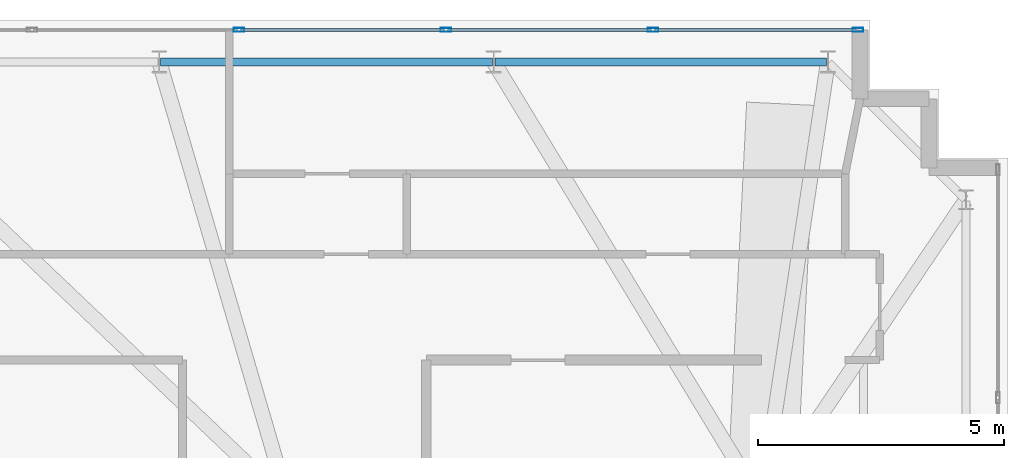
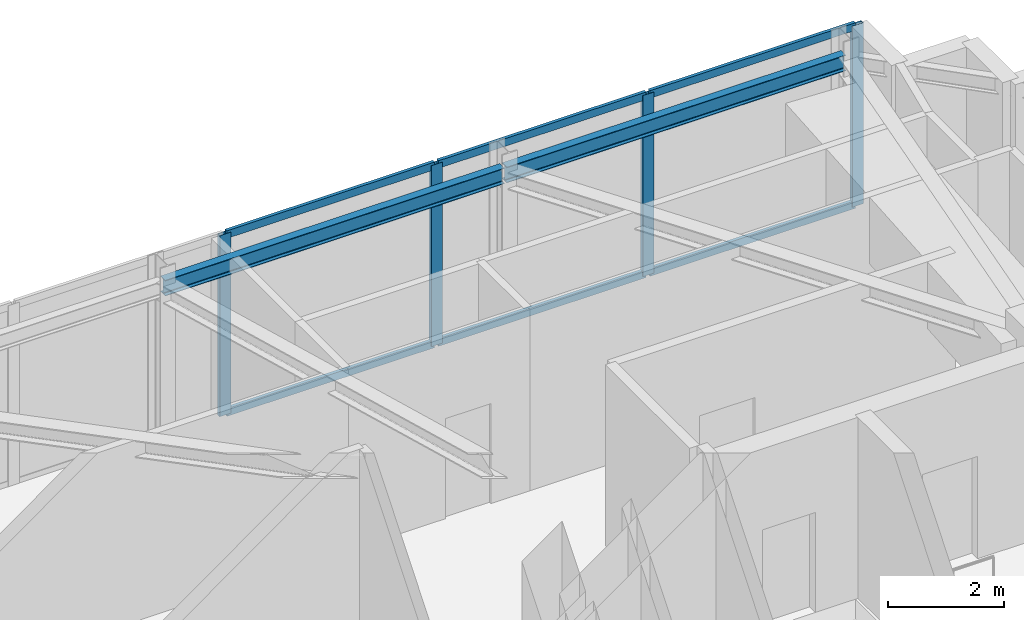
# One storey, part 20 of 27: 10 members, 2 beams, 1 element without a shape of its own.
"""IFC4 building model written with IfcOpenShell, lengths in metres."""

from ifc_helpers import new_model, si_unit, direction, frame, origin, origin_2d, place, context, subcontext, project, spatial, hollow_rectangle, i_section, extrude, material, layer, layer_set, material_profile, profile_set, type_object, element, aggregate, save


model = new_model("IFC4")

# Units and contexts
model_context = context("Model", 3, precision=1e-05, world=origin(), true_north=direction((0.0, 1.0)))
body_context = subcontext(model_context, "Body", "Model", "MODEL_VIEW")
ifc_project = project(units=[si_unit("LENGTHUNIT", "METRE"), si_unit("AREAUNIT", "SQUARE_METRE"), si_unit("VOLUMEUNIT", "CUBIC_METRE"), si_unit("PLANEANGLEUNIT", "RADIAN"), si_unit("MASSUNIT", "GRAM", prefix="KILO")], contexts=[model_context])

# Site, building, storey
site_placement = place(None, origin())
site = spatial("IfcSite", under=ifc_project, at=site_placement, CompositionType="ELEMENT")
building_placement = place(site_placement, origin())
building = spatial("IfcBuilding", under=site, at=building_placement, Name="Qobustan Lattice House", CompositionType="ELEMENT")
storey_placement = place(building_placement, frame((0.0, 0.0, 266.0)))
storey = spatial("IfcBuildingStorey", under=building, at=storey_placement, Name="L75", CompositionType="ELEMENT", Elevation=266.0)

# Beams
ifc_material_1 = material(Name="Steel S355", Category="steel")
ifc_material_profile_1 = material_profile(ifc_material_1, i_section(OverallWidth=0.159912109375, OverallDepth=0.330078125, WebThickness=0.007568359375, FlangeThickness=0.011474609375, FilletRadius=0.01806640625, at=origin_2d()), Name="IPE330")
ifc_profile_set_1 = profile_set([ifc_material_profile_1], Name="Steel S355")
beam_type = type_object("IfcBeamType", Name="BM-SPD-IPE330", PredefinedType="SPANDREL", material=ifc_profile_set_1)
for number, where, z_axis, x_axis, name in (
    (1, (20.125, 14.550048828125, 3.635009765625), (-1.0, 0.0, 0.0), (0.0, -1.0, 0.0), "L75 perimeter spandrel N1-N2"),
    (2, (13.341796875, 14.550048828125, 3.635009765625), (-1.0, 0.0, 0.0), (0.0, -1.0, 0.0), "L75 perimeter spandrel N2-N3"),
):
    element("IfcBeam", number, at=place(storey_placement, frame(where, z_axis=z_axis, x_axis=x_axis)), inside=storey, type_object=beam_type, Name=name, PredefinedType="SPANDREL", context=body_context, shape_type="SweptSolid", body=[
        extrude(i_section(OverallWidth=0.159912109375, OverallDepth=0.330078125, WebThickness=0.007568359375, FlangeThickness=0.011474609375, FilletRadius=0.01806640625, at=origin_2d()), origin(), (0.0, 0.0, 1.0), 6.7333984375),
    ])

# Curtain wall, members
ifc_material_2 = material(Name="Anodised aluminium and low-E glazing", Category="aluminium")
ifc_layer = layer(ifc_material_2, 0.219970703125)
ifc_layer_set = layer_set([ifc_layer], Name="Anodised aluminium and low-E glazing")
curtain_wall_type = type_object("IfcCurtainWallType", Name="CW-OBS-01", PredefinedType="USERDEFINED", material=ifc_layer_set)
curtain_wall_placement = place(storey_placement, origin())
curtain_wall = element("IfcCurtainWall", 3, at=curtain_wall_placement, inside=storey, type_object=curtain_wall_type, Name="L75 N panoramic observation curtain wall", ObjectType="CURTAIN WALL", PredefinedType="USERDEFINED")
ifc_material_3 = material(Name="Anodised aluminium EN AW-6063 T6", Category="aluminium")
ifc_material_profile_2 = material_profile(ifc_material_3, hollow_rectangle(XDim=0.080078125, YDim=0.219970703125, WallThickness=0.0048828125, at=origin_2d()), Name="CWM-220x80")
ifc_profile_set_2 = profile_set([ifc_material_profile_2], Name="Anodised aluminium EN AW-6063 T6")
member_type_1 = type_object("IfcMemberType", Name="CWM-MAIN-220", PredefinedType="MULLION", material=ifc_profile_set_2)
member_1_placement = place(storey_placement, frame((8.199951171875, 15.199951171875, 0.0), z_axis=(0.0, 0.0, 1.0), x_axis=(0.0, 1.0, 0.0)))
member_1 = element("IfcMember", 4, at=member_1_placement, type_object=member_type_1, Name="CW-OB mullion 8", PredefinedType="MULLION", context=body_context, shape_type="SweptSolid", body=[
    extrude(hollow_rectangle(XDim=0.080078125, YDim=0.219970703125, WallThickness=0.0048828125, at=origin_2d()), origin(), (0.0, 0.0, 1.0), 3.800048828125),
])
member_2_placement = place(storey_placement, frame((12.39990234375, 15.199951171875, 0.0), z_axis=(0.0, 0.0, 1.0), x_axis=(0.0, 1.0, 0.0)))
member_2 = element("IfcMember", 5, at=member_2_placement, type_object=member_type_1, Name="CW-OB mullion 9", PredefinedType="MULLION", context=body_context, shape_type="SweptSolid", body=[
    extrude(hollow_rectangle(XDim=0.080078125, YDim=0.219970703125, WallThickness=0.0048828125, at=origin_2d()), origin(), (0.0, 0.0, 1.0), 3.800048828125),
])
member_3_placement = place(storey_placement, frame((16.60009765625, 15.199951171875, 0.0), z_axis=(0.0, 0.0, 1.0), x_axis=(0.0, 1.0, 0.0)))
member_3 = element("IfcMember", 6, at=member_3_placement, type_object=member_type_1, Name="CW-OB mullion 10", PredefinedType="MULLION", context=body_context, shape_type="SweptSolid", body=[
    extrude(hollow_rectangle(XDim=0.080078125, YDim=0.219970703125, WallThickness=0.0048828125, at=origin_2d()), origin(), (0.0, 0.0, 1.0), 3.800048828125),
])
member_4_placement = place(storey_placement, frame((20.760009765625, 15.199951171875, 0.0), z_axis=(0.0, 0.0, 1.0), x_axis=(0.0, 1.0, 0.0)))
member_4 = element("IfcMember", 7, at=member_4_placement, type_object=member_type_1, Name="CW-OB mullion 11", PredefinedType="MULLION", context=body_context, shape_type="SweptSolid", body=[
    extrude(hollow_rectangle(XDim=0.080078125, YDim=0.219970703125, WallThickness=0.0048828125, at=origin_2d()), origin(), (0.0, 0.0, 1.0), 3.800048828125),
])
ifc_material_4 = material(Name="Anodised aluminium EN AW-6063 T6", Category="aluminium")
ifc_material_profile_3 = material_profile(ifc_material_4, hollow_rectangle(XDim=0.06494140625, YDim=0.159912109375, WallThickness=0.00390625, at=origin_2d()), Name="CWT-160x65")
ifc_profile_set_3 = profile_set([ifc_material_profile_3], Name="Anodised aluminium EN AW-6063 T6")
member_type_2 = type_object("IfcMemberType", Name="CWT-HOR-160", PredefinedType="USERDEFINED", material=ifc_profile_set_3)
member_5_placement = place(storey_placement, frame((8.239990234375, 15.199951171875, 0.032470703125), z_axis=(1.0, 0.0, 0.0), x_axis=(0.0, 1.0, 0.0)))
member_5 = element("IfcMember", 8, at=member_5_placement, type_object=member_type_2, Name="CW-OB transom 8.1", ObjectType="TRANSOM", PredefinedType="USERDEFINED", context=body_context, shape_type="SweptSolid", body=[
    extrude(hollow_rectangle(XDim=0.06494140625, YDim=0.159912109375, WallThickness=0.00390625, at=origin_2d()), origin(), (0.0, 0.0, 1.0), 4.1201171875),
])
member_6_placement = place(storey_placement, frame((8.239990234375, 15.199951171875, 3.767578125), z_axis=(1.0, 0.0, 0.0), x_axis=(0.0, 1.0, 0.0)))
member_6 = element("IfcMember", 9, at=member_6_placement, type_object=member_type_2, Name="CW-OB transom 8.2", ObjectType="TRANSOM", PredefinedType="USERDEFINED", context=body_context, shape_type="SweptSolid", body=[
    extrude(hollow_rectangle(XDim=0.06494140625, YDim=0.159912109375, WallThickness=0.00390625, at=origin_2d()), origin(), (0.0, 0.0, 1.0), 4.1201171875),
])
member_7_placement = place(storey_placement, frame((12.43994140625, 15.199951171875, 0.032470703125), z_axis=(1.0, 0.0, 0.0), x_axis=(0.0, 1.0, 0.0)))
member_7 = element("IfcMember", 10, at=member_7_placement, type_object=member_type_2, Name="CW-OB transom 9.1", ObjectType="TRANSOM", PredefinedType="USERDEFINED", context=body_context, shape_type="SweptSolid", body=[
    extrude(hollow_rectangle(XDim=0.06494140625, YDim=0.159912109375, WallThickness=0.00390625, at=origin_2d()), origin(), (0.0, 0.0, 1.0), 4.1201171875),
])
member_8_placement = place(storey_placement, frame((12.43994140625, 15.199951171875, 3.767578125), z_axis=(1.0, 0.0, 0.0), x_axis=(0.0, 1.0, 0.0)))
member_8 = element("IfcMember", 11, at=member_8_placement, type_object=member_type_2, Name="CW-OB transom 9.2", ObjectType="TRANSOM", PredefinedType="USERDEFINED", context=body_context, shape_type="SweptSolid", body=[
    extrude(hollow_rectangle(XDim=0.06494140625, YDim=0.159912109375, WallThickness=0.00390625, at=origin_2d()), origin(), (0.0, 0.0, 1.0), 4.1201171875),
])
member_9_placement = place(storey_placement, frame((16.639892578125, 15.199951171875, 0.032470703125), z_axis=(1.0, 0.0, 0.0), x_axis=(0.0, 1.0, 0.0)))
member_9 = element("IfcMember", 12, at=member_9_placement, type_object=member_type_2, Name="CW-OB transom 10.1", ObjectType="TRANSOM", PredefinedType="USERDEFINED", context=body_context, shape_type="SweptSolid", body=[
    extrude(hollow_rectangle(XDim=0.06494140625, YDim=0.159912109375, WallThickness=0.00390625, at=origin_2d()), origin(), (0.0, 0.0, 1.0), 4.080078125),
])
member_10_placement = place(storey_placement, frame((16.639892578125, 15.199951171875, 3.767578125), z_axis=(1.0, 0.0, 0.0), x_axis=(0.0, 1.0, 0.0)))
member_10 = element("IfcMember", 13, at=member_10_placement, type_object=member_type_2, Name="CW-OB transom 10.2", ObjectType="TRANSOM", PredefinedType="USERDEFINED", context=body_context, shape_type="SweptSolid", body=[
    extrude(hollow_rectangle(XDim=0.06494140625, YDim=0.159912109375, WallThickness=0.00390625, at=origin_2d()), origin(), (0.0, 0.0, 1.0), 4.080078125),
])
aggregate(curtain_wall, [member_1, member_2, member_3, member_4, member_5, member_6, member_7, member_8, member_9, member_10])

save(model, "model.ifc")
